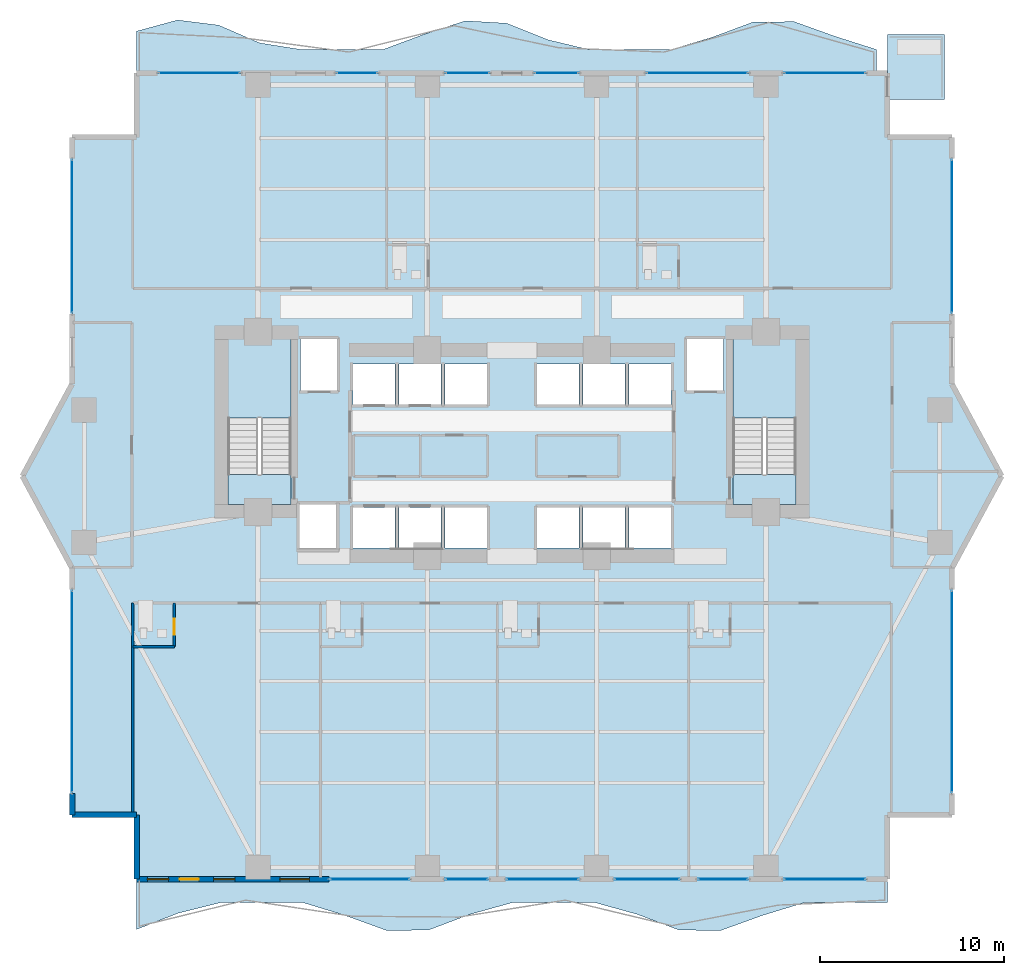
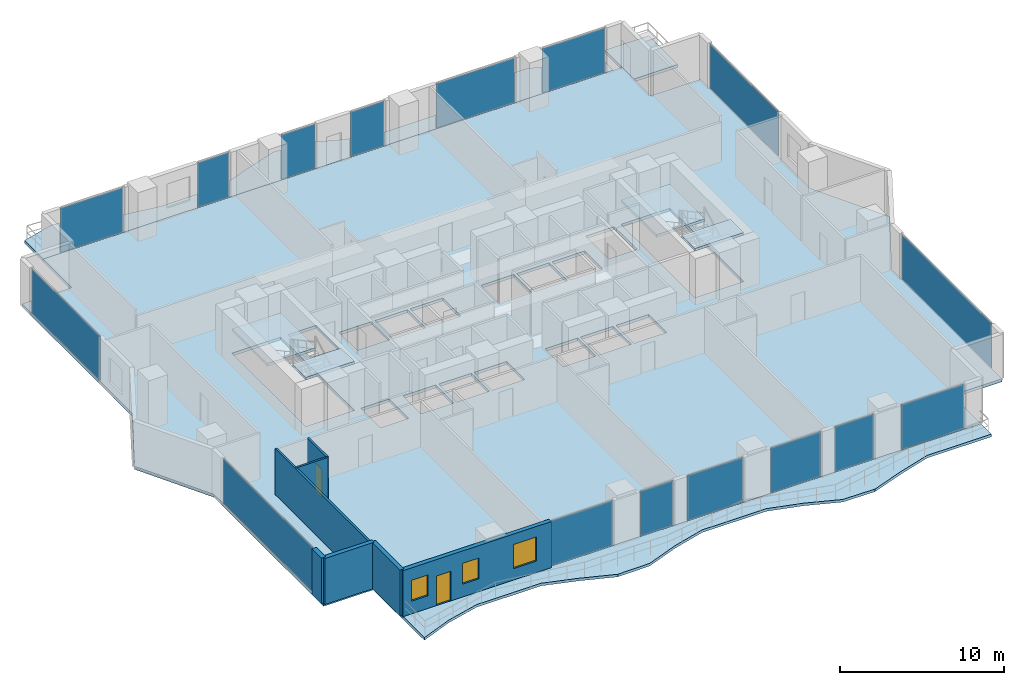
# One storey, part 20 of 28: 16 plates, 8 slabs, 7 walls, 3 windows, 2 doors, 5 openings, 18 elements without a shape of their own.
"""IFC4 building model written with IfcOpenShell, lengths in metres."""

from ifc_helpers import new_model, si_unit, direction, frame, frame_2d, origin, origin_2d, place, context, subcontext, project, spatial, polyline, rectangle, outline, extrude, material, layer, layer_set, type_object, element, fill, aggregate, save


model = new_model("IFC4")

# Units and contexts
model_context = context("Model", 3, precision=1e-05, world=origin(), true_north=direction((0.0, 1.0)))
body_context = subcontext(model_context, "Body", "Model", "MODEL_VIEW")
ifc_project = project(units=[si_unit("LENGTHUNIT", "METRE"), si_unit("AREAUNIT", "SQUARE_METRE"), si_unit("VOLUMEUNIT", "CUBIC_METRE"), si_unit("PLANEANGLEUNIT", "RADIAN"), si_unit("MASSUNIT", "GRAM", prefix="KILO")], contexts=[model_context])

# Site, building, storey
site_placement = place(None, origin())
site = spatial("IfcSite", under=ifc_project, at=site_placement, CompositionType="ELEMENT")
building_placement = place(site_placement, origin())
building = spatial("IfcBuilding", under=site, at=building_placement, Name="Zuhayl Quay Hotel", CompositionType="ELEMENT")
storey_placement = place(building_placement, frame((0.0, 0.0, 139.449951171875)))
storey = spatial("IfcBuildingStorey", under=building, at=storey_placement, Name="L35", CompositionType="ELEMENT", Elevation=139.449951171875)

# Curtain wall, plate
ifc_material_1 = material(Name="Anodised Aluminium 6063-T6", Category="aluminium")
ifc_layer_1 = layer(ifc_material_1, 0.179931640625, Name="Anodised Aluminium 6063-T6", Category="aluminium")
ifc_layer_set_1 = layer_set([ifc_layer_1], Name="Anodised Aluminium 6063-T6")
curtain_wall_type = type_object("IfcCurtainWallType", Name="CW_SYS_Z2", PredefinedType="USERDEFINED", material=ifc_layer_set_1)
curtain_wall_1_placement = place(storey_placement, origin())
curtain_wall_1 = element("IfcCurtainWall", 1, at=curtain_wall_1_placement, inside=storey, type_object=curtain_wall_type, Name="L35 Curtain Wall ENV_L35_E02_CW1", ObjectType="UNITISED CURTAIN WALL", PredefinedType="USERDEFINED")
ifc_material_2 = material(Name="Dark Ceramic-Fritted Solar Glass", Category="glass")
ifc_layer_2 = layer(ifc_material_2, 0.035888671875, Name="Dark Ceramic-Fritted Solar Glass", Category="glass")
ifc_layer_set_2 = layer_set([ifc_layer_2], Name="Dark Ceramic-Fritted Solar Glass")
plate_type = type_object("IfcPlateType", Name="PN_DARK_FRIT_Z1", PredefinedType="CURTAIN_PANEL", material=ifc_layer_set_2)
plate_1_placement = place(storey_placement, frame((-23.89990234375, -5.199951171875, 0.06005859375), z_axis=(0.0, 0.0, 1.0), x_axis=(0.0, 1.0, 0.0)))
plate_1 = element("IfcPlate", 2, at=plate_1_placement, type_object=plate_type, Name="CW-Z2 panel 1.1", PredefinedType="CURTAIN_PANEL", context=body_context, shape_type="SweptSolid", body=[
    extrude(rectangle(XDim=10.969970703125, YDim=0.035888671875, at=origin_2d()), origin(), (0.0, 0.0, 1.0), 3.31005859375),
])
aggregate(curtain_wall_1, [plate_1])

curtain_wall_2_placement = place(storey_placement, origin())
curtain_wall_2 = element("IfcCurtainWall", 3, at=curtain_wall_2_placement, inside=storey, type_object=curtain_wall_type, Name="L35 Curtain Wall ENV_L35_E05_CW1", ObjectType="UNITISED CURTAIN WALL", PredefinedType="USERDEFINED")
plate_2_placement = place(storey_placement, frame((-23.89990234375, 19.52490234375, 0.06005859375), z_axis=(0.0, 0.0, 1.0), x_axis=(0.0, 1.0, 0.0)))
plate_2 = element("IfcPlate", 4, at=plate_2_placement, type_object=plate_type, Name="CW-Z2 panel 1.1", PredefinedType="CURTAIN_PANEL", context=body_context, shape_type="SweptSolid", body=[
    extrude(rectangle(XDim=8.320068359375, YDim=0.035888671875, at=origin_2d()), origin(), (0.0, 0.0, 1.0), 3.31005859375),
])
aggregate(curtain_wall_2, [plate_2])

curtain_wall_3_placement = place(storey_placement, origin())
curtain_wall_3 = element("IfcCurtainWall", 5, at=curtain_wall_3_placement, inside=storey, type_object=curtain_wall_type, Name="L35 Curtain Wall ENV_L35_N_CW1", ObjectType="UNITISED CURTAIN WALL", PredefinedType="USERDEFINED")
plate_3_placement = place(storey_placement, frame((-16.985107421875, 28.39990234375, 0.06005859375), z_axis=(0.0, 0.0, 1.0), x_axis=(1.0, 0.0, 0.0)))
plate_3 = element("IfcPlate", 6, at=plate_3_placement, type_object=plate_type, Name="CW-Z2 panel 1.1", PredefinedType="CURTAIN_PANEL", context=body_context, shape_type="SweptSolid", body=[
    extrude(rectangle(XDim=4.39990234375, YDim=0.035888671875, at=origin_2d()), origin(), (0.0, 0.0, 1.0), 3.31005859375),
])
aggregate(curtain_wall_3, [plate_3])

curtain_wall_4_placement = place(storey_placement, origin())
curtain_wall_4 = element("IfcCurtainWall", 7, at=curtain_wall_4_placement, inside=storey, type_object=curtain_wall_type, Name="L35 Curtain Wall ENV_L35_N_CW2", ObjectType="UNITISED CURTAIN WALL", PredefinedType="USERDEFINED")
plate_4_placement = place(storey_placement, frame((-8.419921875, 28.39990234375, 0.06005859375), z_axis=(0.0, 0.0, 1.0), x_axis=(1.0, 0.0, 0.0)))
plate_4 = element("IfcPlate", 8, at=plate_4_placement, type_object=plate_type, Name="CW-Z2 panel 1.1", PredefinedType="CURTAIN_PANEL", context=body_context, shape_type="SweptSolid", body=[
    extrude(rectangle(XDim=2.2099609375, YDim=0.035888671875, at=origin_2d()), origin(), (0.0, 0.0, 1.0), 3.31005859375),
])
aggregate(curtain_wall_4, [plate_4])

curtain_wall_5_placement = place(storey_placement, origin())
curtain_wall_5 = element("IfcCurtainWall", 9, at=curtain_wall_5_placement, inside=storey, type_object=curtain_wall_type, Name="L35 Curtain Wall ENV_L35_N_CW3", ObjectType="UNITISED CURTAIN WALL", PredefinedType="USERDEFINED")
plate_5_placement = place(storey_placement, frame((-2.427490234375, 28.39990234375, 0.06005859375), z_axis=(0.0, 0.0, 1.0), x_axis=(1.0, 0.0, 0.0)))
plate_5 = element("IfcPlate", 10, at=plate_5_placement, type_object=plate_type, Name="CW-Z2 panel 1.1", PredefinedType="CURTAIN_PANEL", context=body_context, shape_type="SweptSolid", body=[
    extrude(rectangle(XDim=2.375, YDim=0.035888671875, at=origin_2d()), origin(), (0.0, 0.0, 1.0), 3.31005859375),
])
aggregate(curtain_wall_5, [plate_5])

curtain_wall_6_placement = place(storey_placement, origin())
curtain_wall_6 = element("IfcCurtainWall", 11, at=curtain_wall_6_placement, inside=storey, type_object=curtain_wall_type, Name="L35 Curtain Wall ENV_L35_N_CW4", ObjectType="UNITISED CURTAIN WALL", PredefinedType="USERDEFINED")
plate_6_placement = place(storey_placement, frame((2.427490234375, 28.39990234375, 0.06005859375), z_axis=(0.0, 0.0, 1.0), x_axis=(1.0, 0.0, 0.0)))
plate_6 = element("IfcPlate", 12, at=plate_6_placement, type_object=plate_type, Name="CW-Z2 panel 1.1", PredefinedType="CURTAIN_PANEL", context=body_context, shape_type="SweptSolid", body=[
    extrude(rectangle(XDim=2.375, YDim=0.035888671875, at=origin_2d()), origin(), (0.0, 0.0, 1.0), 3.31005859375),
])
aggregate(curtain_wall_6, [plate_6])

curtain_wall_7_placement = place(storey_placement, origin())
curtain_wall_7 = element("IfcCurtainWall", 13, at=curtain_wall_7_placement, inside=storey, type_object=curtain_wall_type, Name="L35 Curtain Wall ENV_L35_N_CW5", ObjectType="UNITISED CURTAIN WALL", PredefinedType="USERDEFINED")
plate_7_placement = place(storey_placement, frame((10.06494140625, 28.39990234375, 0.06005859375), z_axis=(0.0, 0.0, 1.0), x_axis=(1.0, 0.0, 0.0)))
plate_7 = element("IfcPlate", 14, at=plate_7_placement, type_object=plate_type, Name="CW-Z2 panel 1.1", PredefinedType="CURTAIN_PANEL", context=body_context, shape_type="SweptSolid", body=[
    extrude(rectangle(XDim=5.5, YDim=0.035888671875, at=origin_2d()), origin(), (0.0, 0.0, 1.0), 3.31005859375),
])
aggregate(curtain_wall_7, [plate_7])

curtain_wall_8_placement = place(storey_placement, origin())
curtain_wall_8 = element("IfcCurtainWall", 15, at=curtain_wall_8_placement, inside=storey, type_object=curtain_wall_type, Name="L35 Curtain Wall ENV_L35_N_CW6", ObjectType="UNITISED CURTAIN WALL", PredefinedType="USERDEFINED")
plate_8_placement = place(storey_placement, frame((16.985107421875, 28.39990234375, 0.06005859375), z_axis=(0.0, 0.0, 1.0), x_axis=(1.0, 0.0, 0.0)))
plate_8 = element("IfcPlate", 16, at=plate_8_placement, type_object=plate_type, Name="CW-Z2 panel 1.1", PredefinedType="CURTAIN_PANEL", context=body_context, shape_type="SweptSolid", body=[
    extrude(rectangle(XDim=4.39990234375, YDim=0.035888671875, at=origin_2d()), origin(), (0.0, 0.0, 1.0), 3.31005859375),
])
aggregate(curtain_wall_8, [plate_8])

curtain_wall_9_placement = place(storey_placement, origin())
curtain_wall_9 = element("IfcCurtainWall", 17, at=curtain_wall_9_placement, inside=storey, type_object=curtain_wall_type, Name="L35 Curtain Wall ENV_L35_E11_CW1", ObjectType="UNITISED CURTAIN WALL", PredefinedType="USERDEFINED")
plate_9_placement = place(storey_placement, frame((23.89990234375, 19.52490234375, 0.06005859375), z_axis=(0.0, 0.0, 1.0), x_axis=(0.0, -1.0, 0.0)))
plate_9 = element("IfcPlate", 18, at=plate_9_placement, type_object=plate_type, Name="CW-Z2 panel 1.1", PredefinedType="CURTAIN_PANEL", context=body_context, shape_type="SweptSolid", body=[
    extrude(rectangle(XDim=8.320068359375, YDim=0.035888671875, at=origin_2d()), origin(), (0.0, 0.0, 1.0), 3.31005859375),
])
aggregate(curtain_wall_9, [plate_9])

curtain_wall_10_placement = place(storey_placement, origin())
curtain_wall_10 = element("IfcCurtainWall", 19, at=curtain_wall_10_placement, inside=storey, type_object=curtain_wall_type, Name="L35 Curtain Wall ENV_L35_E14_CW1", ObjectType="UNITISED CURTAIN WALL", PredefinedType="USERDEFINED")
plate_10_placement = place(storey_placement, frame((23.89990234375, -5.199951171875, 0.06005859375), z_axis=(0.0, 0.0, 1.0), x_axis=(0.0, -1.0, 0.0)))
plate_10 = element("IfcPlate", 20, at=plate_10_placement, type_object=plate_type, Name="CW-Z2 panel 1.1", PredefinedType="CURTAIN_PANEL", context=body_context, shape_type="SweptSolid", body=[
    extrude(rectangle(XDim=10.969970703125, YDim=0.035888671875, at=origin_2d()), origin(), (0.0, 0.0, 1.0), 3.31005859375),
])
aggregate(curtain_wall_10, [plate_10])

curtain_wall_11_placement = place(storey_placement, origin())
curtain_wall_11 = element("IfcCurtainWall", 21, at=curtain_wall_11_placement, inside=storey, type_object=curtain_wall_type, Name="L35 Curtain Wall ENV_L35_S_CW1", ObjectType="UNITISED CURTAIN WALL", PredefinedType="USERDEFINED")
plate_11_placement = place(storey_placement, frame((16.985107421875, -15.39990234375, 0.06005859375), z_axis=(0.0, 0.0, 1.0), x_axis=(-1.0, 0.0, 0.0)))
plate_11 = element("IfcPlate", 22, at=plate_11_placement, type_object=plate_type, Name="CW-Z2 panel 1.1", PredefinedType="CURTAIN_PANEL", context=body_context, shape_type="SweptSolid", body=[
    extrude(rectangle(XDim=4.39990234375, YDim=0.035888671875, at=origin_2d()), origin(), (0.0, 0.0, 1.0), 3.31005859375),
])
aggregate(curtain_wall_11, [plate_11])

curtain_wall_12_placement = place(storey_placement, origin())
curtain_wall_12 = element("IfcCurtainWall", 23, at=curtain_wall_12_placement, inside=storey, type_object=curtain_wall_type, Name="L35 Curtain Wall ENV_L35_S_CW2", ObjectType="UNITISED CURTAIN WALL", PredefinedType="USERDEFINED")
plate_12_placement = place(storey_placement, frame((11.465087890625, -15.39990234375, 0.06005859375), z_axis=(0.0, 0.0, 1.0), x_axis=(-1.0, 0.0, 0.0)))
plate_12 = element("IfcPlate", 24, at=plate_12_placement, type_object=plate_type, Name="CW-Z2 panel 1.1", PredefinedType="CURTAIN_PANEL", context=body_context, shape_type="SweptSolid", body=[
    extrude(rectangle(XDim=2.699951171875, YDim=0.035888671875, at=origin_2d()), origin(), (0.0, 0.0, 1.0), 3.31005859375),
])
aggregate(curtain_wall_12, [plate_12])

curtain_wall_13_placement = place(storey_placement, origin())
curtain_wall_13 = element("IfcCurtainWall", 25, at=curtain_wall_13_placement, inside=storey, type_object=curtain_wall_type, Name="L35 Curtain Wall ENV_L35_S_CW3", ObjectType="UNITISED CURTAIN WALL", PredefinedType="USERDEFINED")
plate_13_placement = place(storey_placement, frame((7.3349609375, -15.39990234375, 0.06005859375), z_axis=(0.0, 0.0, 1.0), x_axis=(-1.0, 0.0, 0.0)))
plate_13 = element("IfcPlate", 26, at=plate_13_placement, type_object=plate_type, Name="CW-Z2 panel 1.1", PredefinedType="CURTAIN_PANEL", context=body_context, shape_type="SweptSolid", body=[
    extrude(rectangle(XDim=3.5, YDim=0.035888671875, at=origin_2d()), origin(), (0.0, 0.0, 1.0), 3.31005859375),
])
aggregate(curtain_wall_13, [plate_13])

curtain_wall_14_placement = place(storey_placement, origin())
curtain_wall_14 = element("IfcCurtainWall", 27, at=curtain_wall_14_placement, inside=storey, type_object=curtain_wall_type, Name="L35 Curtain Wall ENV_L35_S_CW4", ObjectType="UNITISED CURTAIN WALL", PredefinedType="USERDEFINED")
plate_14_placement = place(storey_placement, frame((1.6650390625, -15.39990234375, 0.06005859375), z_axis=(0.0, 0.0, 1.0), x_axis=(-1.0, 0.0, 0.0)))
plate_14 = element("IfcPlate", 28, at=plate_14_placement, type_object=plate_type, Name="CW-Z2 panel 1.1", PredefinedType="CURTAIN_PANEL", context=body_context, shape_type="SweptSolid", body=[
    extrude(rectangle(XDim=3.89990234375, YDim=0.035888671875, at=origin_2d()), origin(), (0.0, 0.0, 1.0), 3.31005859375),
])
aggregate(curtain_wall_14, [plate_14])

curtain_wall_15_placement = place(storey_placement, origin())
curtain_wall_15 = element("IfcCurtainWall", 29, at=curtain_wall_15_placement, inside=storey, type_object=curtain_wall_type, Name="L35 Curtain Wall ENV_L35_S_CW5", ObjectType="UNITISED CURTAIN WALL", PredefinedType="USERDEFINED")
plate_15_placement = place(storey_placement, frame((-2.465087890625, -15.39990234375, 0.06005859375), z_axis=(0.0, 0.0, 1.0), x_axis=(-1.0, 0.0, 0.0)))
plate_15 = element("IfcPlate", 30, at=plate_15_placement, type_object=plate_type, Name="CW-Z2 panel 1.1", PredefinedType="CURTAIN_PANEL", context=body_context, shape_type="SweptSolid", body=[
    extrude(rectangle(XDim=2.300048828125, YDim=0.035888671875, at=origin_2d()), origin(), (0.0, 0.0, 1.0), 3.31005859375),
])
aggregate(curtain_wall_15, [plate_15])

curtain_wall_16_placement = place(storey_placement, origin())
curtain_wall_16 = element("IfcCurtainWall", 31, at=curtain_wall_16_placement, inside=storey, type_object=curtain_wall_type, Name="L35 Curtain Wall ENV_L35_S_CW6", ObjectType="UNITISED CURTAIN WALL", PredefinedType="USERDEFINED")
plate_16_placement = place(storey_placement, frame((-7.735107421875, -15.39990234375, 0.06005859375), z_axis=(0.0, 0.0, 1.0), x_axis=(-1.0, 0.0, 0.0)))
plate_16 = element("IfcPlate", 32, at=plate_16_placement, type_object=plate_type, Name="CW-Z2 panel 1.1", PredefinedType="CURTAIN_PANEL", context=body_context, shape_type="SweptSolid", body=[
    extrude(rectangle(XDim=4.300048828125, YDim=0.035888671875, at=origin_2d()), origin(), (0.0, 0.0, 1.0), 3.31005859375),
])
aggregate(curtain_wall_16, [plate_16])

# Slabs
ifc_material_3 = material(Name="Concrete C45/55", Category="concrete")
ifc_layer_3 = layer(ifc_material_3, 0.195068359375, Name="Concrete C45/55", Category="concrete")
ifc_layer_set_3 = layer_set([ifc_layer_3], Name="Concrete C45/55")
slab_type_1 = type_object("IfcSlabType", Name="SL_BALCONY_195", PredefinedType="FLOOR", material=ifc_layer_set_3)
slab_1_placement = place(storey_placement, frame((0.0, 0.0, -0.195068359375)))
element("IfcSlab", 33, at=slab_1_placement, inside=storey, type_object=slab_type_1, Name="L35 Exterior Rippling Balcony Slab North", PredefinedType="FLOOR", context=body_context, shape_type="SweptSolid", body=[
    extrude(outline(polyline([(-20.39990234375, 28.39990234375), (19.800048828125, 28.39990234375), (19.800048828125, 29.679931640625), (17.566650390625, 30.389404296875), (15.333251953125, 31.19189453125), (13.10009765625, 31.171142578125), (10.86669921875, 30.341796875), (8.63330078125, 29.679931640625), (6.39990234375, 29.679931640625), (4.166748046875, 29.679931640625), (1.933349609375, 30.213134765625), (-0.300048828125, 31.107177734375), (-2.533203125, 31.23876953125), (-4.7666015625, 30.51318359375), (-7.0, 29.679931640625), (-9.2333984375, 29.679931640625), (-11.466796875, 29.679931640625), (-13.699951171875, 30.03369140625), (-15.933349609375, 31.00048828125), (-18.166748046875, 31.281982421875), (-20.39990234375, 30.675048828125), (-20.39990234375, 28.39990234375)])), origin(), (0.0, 0.0, 1.0), 0.195068359375),
])
slab_2_placement = place(storey_placement, frame((0.0, 0.0, -0.195068359375)))
element("IfcSlab", 34, at=slab_2_placement, inside=storey, type_object=slab_type_1, Name="L35 Exterior Rippling Balcony Slab South", PredefinedType="FLOOR", context=body_context, shape_type="SweptSolid", body=[
    extrude(outline(polyline([(-20.39990234375, -18.132568359375), (-18.13330078125, -17.24560546875), (-15.86669921875, -16.679931640625), (-13.60009765625, -16.679931640625), (-11.333251953125, -16.679931640625), (-9.066650390625, -17.37353515625), (-6.800048828125, -18.19189453125), (-4.533203125, -18.163818359375), (-2.2666015625, -17.309814453125), (0.0, -16.679931640625), (2.2666015625, -16.679931640625), (4.533203125, -16.679931640625), (6.800048828125, -17.309814453125), (9.066650390625, -18.163818359375), (11.333251953125, -18.19189453125), (13.60009765625, -17.37353515625), (15.86669921875, -16.679931640625), (18.13330078125, -16.679931640625), (20.39990234375, -16.679931640625), (20.39990234375, -15.39990234375), (-20.39990234375, -15.39990234375), (-20.39990234375, -18.132568359375)])), origin(), (0.0, 0.0, 1.0), 0.195068359375),
])
ifc_layer_4 = layer(ifc_material_3, 0.219970703125, Name="Concrete C45/55", Category="concrete")
ifc_layer_set_4 = layer_set([ifc_layer_4], Name="Concrete C45/55")
slab_type_2 = type_object("IfcSlabType", Name="SL_FLOOR_220", PredefinedType="FLOOR", material=ifc_layer_set_4)
slab_3_placement = place(storey_placement, frame((0.0, 0.0, -0.219970703125)))
element("IfcSlab", 35, at=slab_3_placement, inside=storey, type_object=slab_type_2, Name="L35 Structural Floor Slab", PredefinedType="FLOOR", context=body_context, shape_type="SweptSolid", body=[
    extrude(outline(polyline([(-20.39990234375, -15.39990234375), (20.39990234375, -15.39990234375), (20.39990234375, -11.89990234375), (23.89990234375, -11.89990234375), (23.89990234375, 1.5), (26.60009765625, 6.5), (23.89990234375, 11.5), (23.89990234375, 24.89990234375), (20.39990234375, 24.89990234375), (20.39990234375, 28.39990234375), (-20.39990234375, 28.39990234375), (-20.39990234375, 24.89990234375), (-23.89990234375, 24.89990234375), (-23.89990234375, 11.5), (-26.60009765625, 6.5), (-23.89990234375, 1.5), (-23.89990234375, -11.89990234375), (-20.39990234375, -11.89990234375), (-20.39990234375, -15.39990234375)]), holes=[polyline([(-12.0, 4.949951171875), (-12.0, 13.949951171875), (-15.429931640625, 13.949951171875), (-15.429931640625, 4.949951171875), (-12.0, 4.949951171875)]), polyline([(15.429931640625, 4.949951171875), (15.429931640625, 13.949951171875), (12.0, 13.949951171875), (12.0, 4.949951171875), (15.429931640625, 4.949951171875)]), polyline([(-11.5, 11.14990234375), (-9.5, 11.14990234375), (-9.5, 13.949951171875), (-11.5, 13.949951171875), (-11.5, 11.14990234375)]), polyline([(9.5, 11.14990234375), (11.5, 11.14990234375), (11.5, 13.949951171875), (9.5, 13.949951171875), (9.5, 11.14990234375)]), polyline([(-8.64990234375, 2.60009765625), (-6.35009765625, 2.60009765625), (-6.35009765625, 4.800048828125), (-8.64990234375, 4.800048828125), (-8.64990234375, 2.60009765625)]), polyline([(-6.14990234375, 2.60009765625), (-3.85009765625, 2.60009765625), (-3.85009765625, 4.800048828125), (-6.14990234375, 4.800048828125), (-6.14990234375, 2.60009765625)]), polyline([(-8.64990234375, 10.39990234375), (-6.35009765625, 10.39990234375), (-6.35009765625, 12.60009765625), (-8.64990234375, 12.60009765625), (-8.64990234375, 10.39990234375)]), polyline([(-6.14990234375, 10.39990234375), (-3.85009765625, 10.39990234375), (-3.85009765625, 12.60009765625), (-6.14990234375, 12.60009765625), (-6.14990234375, 10.39990234375)]), polyline([(-3.64990234375, 2.60009765625), (-1.35009765625, 2.60009765625), (-1.35009765625, 4.800048828125), (-3.64990234375, 4.800048828125), (-3.64990234375, 2.60009765625)]), polyline([(1.35009765625, 2.60009765625), (3.64990234375, 2.60009765625), (3.64990234375, 4.800048828125), (1.35009765625, 4.800048828125), (1.35009765625, 2.60009765625)]), polyline([(-3.64990234375, 10.39990234375), (-1.35009765625, 10.39990234375), (-1.35009765625, 12.60009765625), (-3.64990234375, 12.60009765625), (-3.64990234375, 10.39990234375)]), polyline([(1.35009765625, 10.39990234375), (3.64990234375, 10.39990234375), (3.64990234375, 12.60009765625), (1.35009765625, 12.60009765625), (1.35009765625, 10.39990234375)]), polyline([(3.85009765625, 2.60009765625), (6.14990234375, 2.60009765625), (6.14990234375, 4.800048828125), (3.85009765625, 4.800048828125), (3.85009765625, 2.60009765625)]), polyline([(6.35009765625, 2.60009765625), (8.64990234375, 2.60009765625), (8.64990234375, 4.800048828125), (6.35009765625, 4.800048828125), (6.35009765625, 2.60009765625)]), polyline([(3.85009765625, 10.39990234375), (6.14990234375, 10.39990234375), (6.14990234375, 12.60009765625), (3.85009765625, 12.60009765625), (3.85009765625, 10.39990234375)]), polyline([(6.35009765625, 10.39990234375), (8.64990234375, 10.39990234375), (8.64990234375, 12.60009765625), (6.35009765625, 12.60009765625), (6.35009765625, 10.39990234375)]), polyline([(-11.550048828125, 2.550048828125), (-9.550048828125, 2.550048828125), (-9.550048828125, 4.949951171875), (-11.550048828125, 4.949951171875), (-11.550048828125, 2.550048828125)])]), origin(), (0.0, 0.0, 1.0), 0.219970703125),
])

# Stair, slabs
stair_type = type_object("IfcStairType", Name="ST_DOGLEG_TOWER", PredefinedType="HALF_TURN_STAIR", material=ifc_material_3)
stair_1_placement = place(storey_placement, origin())
stair_1 = element("IfcStair", 36, at=stair_1_placement, inside=storey, type_object=stair_type, Name="L35 Smokeproof Exit Stair ST1", PredefinedType="HALF_TURN_STAIR")
ifc_layer_5 = layer(ifc_material_3, 0.199951171875, Name="Concrete C45/55", Category="concrete")
ifc_layer_set_5 = layer_set([ifc_layer_5], Name="Concrete C45/55")
slab_type_3 = type_object("IfcSlabType", Name="SL_STAIR_LANDING_200", PredefinedType="LANDING", material=ifc_layer_set_5)
slab_4_placement = place(storey_placement, frame((0.0, 0.0, 1.625)))
slab_4 = element("IfcSlab", 37, at=slab_4_placement, type_object=slab_type_3, Name="ST1 landing 1", PredefinedType="LANDING", context=body_context, shape_type="SweptSolid", body=[
    extrude(outline(polyline([(-12.0, 9.64990234375), (-12.0, 13.949951171875), (-15.429931640625, 13.949951171875), (-15.429931640625, 9.64990234375), (-12.0, 9.64990234375)])), origin(), (0.0, 0.0, 1.0), 0.199951171875),
])
slab_5_placement = place(storey_placement, frame((0.0, 0.0, 3.449951171875)))
slab_5 = element("IfcSlab", 38, at=slab_5_placement, type_object=slab_type_3, Name="ST1 landing 2", PredefinedType="LANDING", context=body_context, shape_type="SweptSolid", body=[
    extrude(outline(polyline([(-12.0, 4.949951171875), (-12.0, 6.590087890625), (-15.429931640625, 6.590087890625), (-15.429931640625, 4.949951171875), (-12.0, 4.949951171875)])), origin(), (0.0, 0.0, 1.0), 0.2001953125),
])
aggregate(stair_1, [slab_4, slab_5])

stair_2_placement = place(storey_placement, origin())
stair_2 = element("IfcStair", 39, at=stair_2_placement, inside=storey, type_object=stair_type, Name="L35 Smokeproof Exit Stair ST2", PredefinedType="HALF_TURN_STAIR")
slab_6_placement = place(storey_placement, frame((0.0, 0.0, 1.625)))
slab_6 = element("IfcSlab", 40, at=slab_6_placement, type_object=slab_type_3, Name="ST2 landing 1", PredefinedType="LANDING", context=body_context, shape_type="SweptSolid", body=[
    extrude(outline(polyline([(15.429931640625, 9.64990234375), (15.429931640625, 13.949951171875), (12.0, 13.949951171875), (12.0, 9.64990234375), (15.429931640625, 9.64990234375)])), origin(), (0.0, 0.0, 1.0), 0.199951171875),
])
slab_7_placement = place(storey_placement, frame((0.0, 0.0, 3.449951171875)))
slab_7 = element("IfcSlab", 41, at=slab_7_placement, type_object=slab_type_3, Name="ST2 landing 2", PredefinedType="LANDING", context=body_context, shape_type="SweptSolid", body=[
    extrude(outline(polyline([(15.429931640625, 4.949951171875), (15.429931640625, 6.590087890625), (12.0, 6.590087890625), (12.0, 4.949951171875), (15.429931640625, 4.949951171875)])), origin(), (0.0, 0.0, 1.0), 0.2001953125),
])
aggregate(stair_2, [slab_6, slab_7])

# Slab
ifc_layer_6 = layer(ifc_material_3, 0.219970703125, Name="Concrete C45/55", Category="concrete")
ifc_layer_set_6 = layer_set([ifc_layer_6], Name="Concrete C45/55")
slab_type_4 = type_object("IfcSlabType", Name="SL_TERRACE_235", PredefinedType="FLOOR", material=ifc_layer_set_6)
slab_8_placement = place(storey_placement, frame((0.0, 0.0, -0.219970703125)))
element("IfcSlab", 42, at=slab_8_placement, inside=storey, type_object=slab_type_4, Name="L35 Exterior Sky-Terrace Slab L35_SPIRAL_NE", PredefinedType="FLOOR", context=body_context, shape_type="SweptSolid", body=[
    extrude(outline(polyline([(20.39990234375, 26.949951171875), (23.5, 26.949951171875), (23.5, 30.5), (20.39990234375, 30.5), (20.39990234375, 26.949951171875)])), origin(), (0.0, 0.0, 1.0), 0.219970703125),
])

# Walls
ifc_material_4 = material(Name="Precast concrete C45/55", Category="concrete")
ifc_layer_7 = layer(ifc_material_4, 0.300048828125, Name="Precast concrete C45/55", Category="concrete")
ifc_layer_set_7 = layer_set([ifc_layer_7], Name="Precast concrete C45/55")
wall_type_1 = type_object("IfcWallType", Name="WL_EXT_300", PredefinedType="STANDARD", material=ifc_layer_set_7)
wall_1_placement = place(storey_placement, frame((-20.39990234375, -11.89990234375, 0.0), z_axis=(0.0, 0.0, 1.0), x_axis=(-1.0, 0.0, 0.0)))
element("IfcWall", 43, at=wall_1_placement, inside=storey, type_object=wall_type_1, Name="L35 Exterior Precast Wall ENV_L35_EW01", PredefinedType="STANDARD", context=body_context, shape_type="SweptSolid", body=[
    extrude(rectangle(XDim=3.5, YDim=0.300048828125, at=frame_2d((1.75, 0.0))), origin(), (0.0, 0.0, 1.0), 3.429931640625),
])
wall_2_placement = place(storey_placement, frame((-23.89990234375, -11.89990234375, 0.0), z_axis=(0.0, 0.0, 1.0), x_axis=(0.0, 1.0, 0.0)))
element("IfcWall", 44, at=wall_2_placement, inside=storey, type_object=wall_type_1, Name="L35 Exterior Precast Wall ENV_L35_E02_EW1", PredefinedType="STANDARD", context=body_context, shape_type="SweptSolid", body=[
    extrude(rectangle(XDim=1.14990234375, YDim=0.300048828125, at=frame_2d((0.574951171875, 0.0))), origin(), (0.0, 0.0, 1.0), 3.429931640625),
])

# Wall, openings, door, windows
wall_3_placement = place(storey_placement, frame((-9.949951171875, -15.39990234375, 0.0), z_axis=(0.0, 0.0, 1.0), x_axis=(-1.0, 0.0, 0.0)))
wall_3 = element("IfcWall", 45, at=wall_3_placement, inside=storey, type_object=wall_type_1, Name="L35 Exterior Precast Wall ENV_L35_S_EW7", PredefinedType="STANDARD", context=body_context, shape_type="SweptSolid", body=[
    extrude(rectangle(XDim=10.449951171875, YDim=0.300048828125, at=frame_2d((5.22509765625, 0.0))), origin(), (0.0, 0.0, 1.0), 3.429931640625),
])
opening_1_placement = place(wall_3_placement, frame((7.06494140625, 0.0, 0.0)))
opening_1 = element("IfcOpeningElement", 46, at=opening_1_placement, cuts=wall_3, Name="Opening DG1", PredefinedType="OPENING", context=body_context, shape_type="SweptSolid", body=[
    extrude(rectangle(XDim=1.050048828125, YDim=2.199951171875, at=frame_2d((0.52490234375, 1.10009765625))), frame((0.0, 0.159912109375, 0.0), z_axis=(0.0, -1.0, 0.0), x_axis=(1.0, 0.0, 0.0)), (0.0, 0.0, 1.0), 0.320068359375),
])
opening_2_placement = place(wall_3_placement, frame((1.06005859375, 0.0, 0.85009765625)))
opening_2 = element("IfcOpeningElement", 47, at=opening_2_placement, cuts=wall_3, Name="Opening W01", PredefinedType="OPENING", context=body_context, shape_type="SweptSolid", body=[
    extrude(rectangle(XDim=1.60009765625, YDim=1.800048828125, at=frame_2d((0.800048828125, 0.89990234375))), frame((0.0, 0.159912109375, 0.0), z_axis=(0.0, -1.0, 0.0), x_axis=(1.0, 0.0, 0.0)), (0.0, 0.0, 1.0), 0.320068359375),
])
opening_3_placement = place(wall_3_placement, frame((5.107421875, 0.0, 0.949951171875)))
opening_3 = element("IfcOpeningElement", 48, at=opening_3_placement, cuts=wall_3, Name="Opening W01N", PredefinedType="OPENING", context=body_context, shape_type="SweptSolid", body=[
    extrude(rectangle(XDim=1.14990234375, YDim=1.550048828125, at=frame_2d((0.574951171875, 0.77490234375))), frame((0.0, 0.159912109375, 0.0), z_axis=(0.0, -1.0, 0.0), x_axis=(1.0, 0.0, 0.0)), (0.0, 0.0, 1.0), 0.320068359375),
])
opening_4_placement = place(wall_3_placement, frame((8.71240234375, 0.0, 0.949951171875)))
opening_4 = element("IfcOpeningElement", 49, at=opening_4_placement, cuts=wall_3, Name="Opening W01N", PredefinedType="OPENING", context=body_context, shape_type="SweptSolid", body=[
    extrude(rectangle(XDim=1.14990234375, YDim=1.550048828125, at=frame_2d((0.574951171875, 0.77490234375))), frame((0.0, 0.159912109375, 0.0), z_axis=(0.0, -1.0, 0.0), x_axis=(1.0, 0.0, 0.0)), (0.0, 0.0, 1.0), 0.320068359375),
])
ifc_material_5 = material(Name="Anodised Aluminium and Dark Solar Glass", Category="aluminium")
door_type_1 = type_object("IfcDoorType", Name="DR_EXT_TERR_1050", OperationType="NOTDEFINED", PredefinedType="DOOR", material=ifc_material_5)
door_1_placement = place(opening_1_placement, origin())
door_1 = element("IfcDoor", 50, at=door_1_placement, inside=storey, type_object=door_type_1, Name="L35 South Rippling Balcony Door", OperationType="SINGLE_SWING_RIGHT", OverallHeight=2.199951171875, OverallWidth=1.050048828125, PredefinedType="DOOR", context=body_context, shape_type="SweptSolid", body=[
    extrude(rectangle(XDim=1.050048828125, YDim=2.199951171875, at=frame_2d((0.52490234375, 1.10009765625))), frame((0.0, 0.02490234375, 0.0), z_axis=(0.0, -1.0, 0.0), x_axis=(1.0, 0.0, 0.0)), (0.0, 0.0, 1.0), 0.050048828125),
])
fill(opening_1, door_1)
window_type_1 = type_object("IfcWindowType", Name="WN_NOTCH_1350", PartitioningType="SINGLE_PANEL", PredefinedType="WINDOW", material=ifc_material_2)
window_1_placement = place(opening_3_placement, origin())
window_1 = element("IfcWindow", 51, at=window_1_placement, inside=storey, type_object=window_type_1, Name="L35 Operable Facade Window 7-2", OverallHeight=1.550048828125, OverallWidth=1.14990234375, PartitioningType="SINGLE_PANEL", PredefinedType="WINDOW", context=body_context, shape_type="SweptSolid", body=[
    extrude(rectangle(XDim=1.14990234375, YDim=1.550048828125, at=frame_2d((0.574951171875, 0.77490234375))), frame((0.0, 0.030029296875, 0.0), z_axis=(0.0, -1.0, 0.0), x_axis=(1.0, 0.0, 0.0)), (0.0, 0.0, 1.0), 0.06005859375),
])
fill(opening_3, window_1)
window_2_placement = place(opening_4_placement, origin())
window_2 = element("IfcWindow", 52, at=window_2_placement, inside=storey, type_object=window_type_1, Name="L35 Operable Facade Window 7-3", OverallHeight=1.550048828125, OverallWidth=1.14990234375, PartitioningType="SINGLE_PANEL", PredefinedType="WINDOW", context=body_context, shape_type="SweptSolid", body=[
    extrude(rectangle(XDim=1.14990234375, YDim=1.550048828125, at=frame_2d((0.574951171875, 0.77490234375))), frame((0.0, 0.030029296875, 0.0), z_axis=(0.0, -1.0, 0.0), x_axis=(1.0, 0.0, 0.0)), (0.0, 0.0, 1.0), 0.06005859375),
])
fill(opening_4, window_2)
window_type_2 = type_object("IfcWindowType", Name="WN_OPERABLE_1600", PartitioningType="DOUBLE_PANEL_VERTICAL", PredefinedType="WINDOW", material=ifc_material_2)
window_3_placement = place(opening_2_placement, origin())
window_3 = element("IfcWindow", 53, at=window_3_placement, inside=storey, type_object=window_type_2, Name="L35 Operable Facade Window 7-1", OverallHeight=1.800048828125, OverallWidth=1.60009765625, PartitioningType="SINGLE_PANEL", PredefinedType="WINDOW", context=body_context, shape_type="SweptSolid", body=[
    extrude(rectangle(XDim=1.60009765625, YDim=1.800048828125, at=frame_2d((0.800048828125, 0.89990234375))), frame((0.0, 0.030029296875, 0.0), z_axis=(0.0, -1.0, 0.0), x_axis=(1.0, 0.0, 0.0)), (0.0, 0.0, 1.0), 0.06005859375),
])
fill(opening_2, window_3)

# Walls
wall_4_placement = place(storey_placement, frame((-20.39990234375, -15.39990234375, 0.0), z_axis=(0.0, 0.0, 1.0), x_axis=(0.0, 1.0, 0.0)))
element("IfcWall", 54, at=wall_4_placement, inside=storey, type_object=wall_type_1, Name="L35 Exterior Precast Wall ENV_L35_EW18", PredefinedType="STANDARD", context=body_context, shape_type="SweptSolid", body=[
    extrude(rectangle(XDim=3.5, YDim=0.300048828125, at=frame_2d((1.75, 0.0))), origin(), (0.0, 0.0, 1.0), 3.429931640625),
])
ifc_material_6 = material(Name="Acoustic Gypsum Partition STC-58")
ifc_layer_8 = layer(ifc_material_6, 0.14990234375, Name="Acoustic Gypsum Partition STC-58")
ifc_layer_set_8 = layer_set([ifc_layer_8], Name="Acoustic Gypsum Partition STC-58")
wall_type_2 = type_object("IfcWallType", Name="WL_PART_150", PredefinedType="PARTITIONING", material=ifc_layer_set_8)
wall_5_placement = place(storey_placement, frame((-20.60009765625, -11.89990234375, 0.0), z_axis=(0.0, 0.0, 1.0), x_axis=(0.0, 1.0, 0.0)))
element("IfcWall", 55, at=wall_5_placement, inside=storey, type_object=wall_type_2, Name="L35 Partition IW_L35_SU01_W", PredefinedType="PARTITIONING", context=body_context, shape_type="SweptSolid", body=[
    extrude(rectangle(XDim=11.5, YDim=0.14990234375, at=frame_2d((5.75, 0.0))), origin(), (0.0, 0.0, 1.0), 3.429931640625),
])

# Wall, opening, door
ifc_material_7 = material(Name="Moisture-Resistant Sanitarychase Gypsum")
ifc_layer_9 = layer(ifc_material_7, 0.135009765625, Name="Moisture-Resistant Sanitarychase Gypsum")
ifc_layer_set_9 = layer_set([ifc_layer_9], Name="Moisture-Resistant Sanitarychase Gypsum")
wall_type_3 = type_object("IfcWallType", Name="WL_PART_PLUMB_150", PredefinedType="PLUMBINGWALL", material=ifc_layer_set_9)
wall_6_placement = place(storey_placement, frame((-18.340087890625, -2.760009765625, 0.0), z_axis=(0.0, 0.0, 1.0), x_axis=(0.0, 1.0, 0.0)))
wall_6 = element("IfcWall", 56, at=wall_6_placement, inside=storey, type_object=wall_type_3, Name="L35 Partition IW_L35_SU01_BE", PredefinedType="PLUMBINGWALL", context=body_context, shape_type="SweptSolid", body=[
    extrude(rectangle(XDim=2.360107421875, YDim=0.135009765625, at=frame_2d((1.18017578125, 0.0))), origin(), (0.0, 0.0, 1.0), 3.429931640625),
])
opening_5_placement = place(wall_6_placement, frame((0.64990234375, 0.0, 0.0)))
opening_5 = element("IfcOpeningElement", 57, at=opening_5_placement, cuts=wall_6, Name="Opening D04", PredefinedType="OPENING", context=body_context, shape_type="SweptSolid", body=[
    extrude(rectangle(XDim=0.85009765625, YDim=2.10009765625, at=frame_2d((0.425048828125, 1.050048828125))), frame((0.0, 0.077392578125, 0.0), z_axis=(0.0, -1.0, 0.0), x_axis=(1.0, 0.0, 0.0)), (0.0, 0.0, 1.0), 0.155029296875),
])
ifc_material_8 = material(Name="Moisture-Resistant Walnut Veneer")
door_type_2 = type_object("IfcDoorType", Name="DR_BATH_850", OperationType="NOTDEFINED", PredefinedType="DOOR", material=ifc_material_8)
door_2_placement = place(opening_5_placement, origin())
door_2 = element("IfcDoor", 58, at=door_2_placement, inside=storey, type_object=door_type_2, Name="L35 City-View Junior Suite L35-01 En-Suite Door", OperationType="SINGLE_SWING_RIGHT", OverallHeight=2.10009765625, OverallWidth=0.85009765625, PredefinedType="DOOR", context=body_context, shape_type="SweptSolid", body=[
    extrude(rectangle(XDim=0.85009765625, YDim=2.10009765625, at=frame_2d((0.425048828125, 1.050048828125))), frame((0.0, 0.02490234375, 0.0), z_axis=(0.0, -1.0, 0.0), x_axis=(1.0, 0.0, 0.0)), (0.0, 0.0, 1.0), 0.050048828125),
])
fill(opening_5, door_2)

# Wall
wall_7_placement = place(storey_placement, frame((-20.60009765625, -2.760009765625, 0.0), z_axis=(0.0, 0.0, 1.0), x_axis=(1.0, 0.0, 0.0)))
element("IfcWall", 59, at=wall_7_placement, inside=storey, type_object=wall_type_3, Name="L35 Partition IW_L35_SU01_BS", PredefinedType="PLUMBINGWALL", context=body_context, shape_type="SweptSolid", body=[
    extrude(rectangle(XDim=2.260009765625, YDim=0.135009765625, at=frame_2d((1.1298828125, 0.0))), origin(), (0.0, 0.0, 1.0), 3.429931640625),
])

save(model, "model.ifc")
